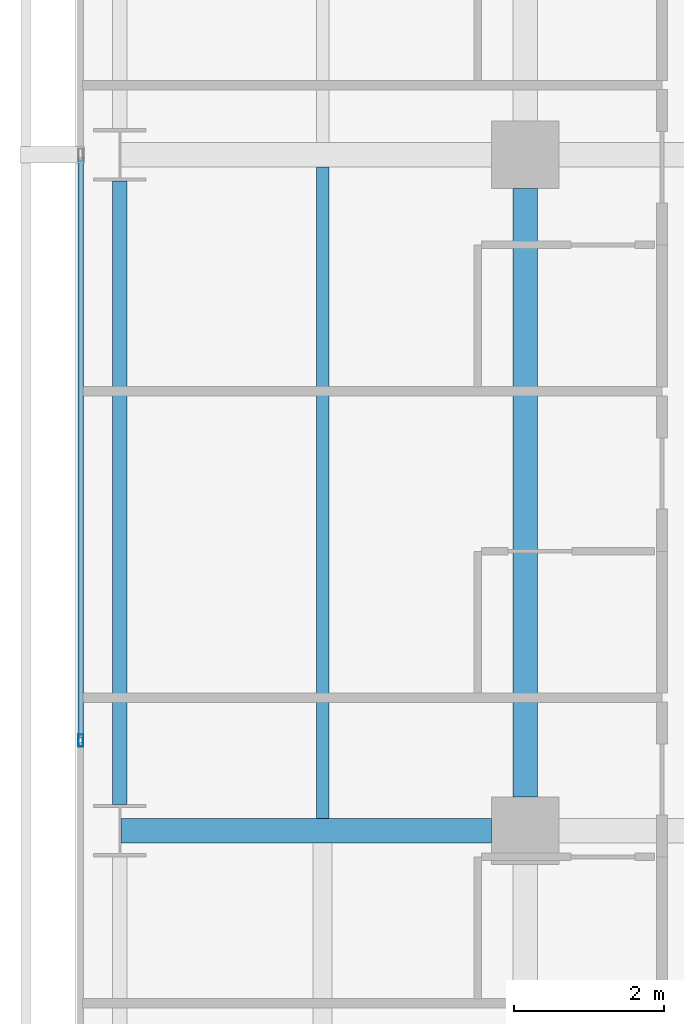
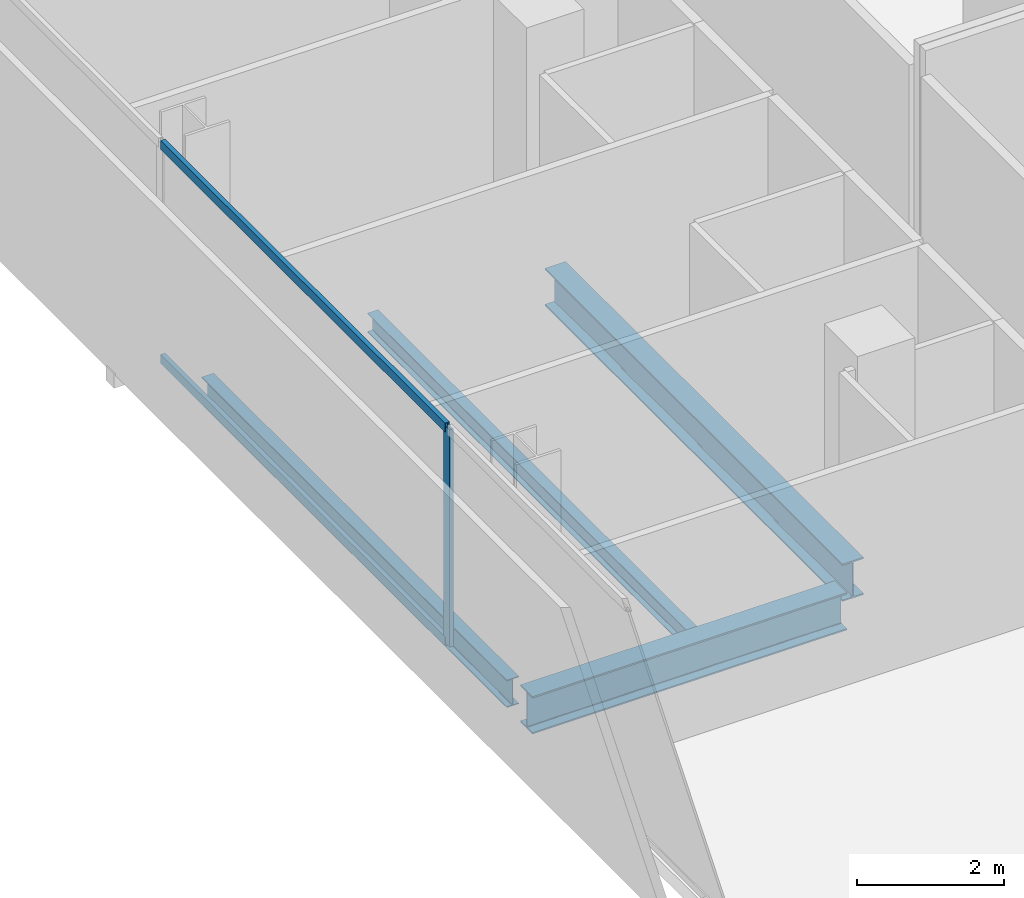
# One storey, part 10 of 40: 4 beams, 3 members, 1 element without a shape of its own.
"""IFC4 building model written with IfcOpenShell, lengths in metres."""

from ifc_helpers import new_model, si_unit, direction, frame, origin, origin_2d, place, context, subcontext, project, spatial, hollow_rectangle, i_section, extrude, material, layer, layer_set, material_profile, profile_set, type_object, element, aggregate, save


model = new_model("IFC4")

# Units and contexts
model_context = context("Model", 3, precision=1e-05, world=origin(), true_north=direction((0.0, 1.0)))
body_context = subcontext(model_context, "Body", "Model", "MODEL_VIEW")
ifc_project = project(units=[si_unit("LENGTHUNIT", "METRE"), si_unit("AREAUNIT", "SQUARE_METRE"), si_unit("VOLUMEUNIT", "CUBIC_METRE"), si_unit("PLANEANGLEUNIT", "RADIAN"), si_unit("MASSUNIT", "GRAM", prefix="KILO")], contexts=[model_context])

# Site, building, storey
site_placement = place(None, origin())
site = spatial("IfcSite", under=ifc_project, at=site_placement, CompositionType="ELEMENT")
building_placement = place(site_placement, origin())
building = spatial("IfcBuilding", under=site, at=building_placement, Name="Maruvema Waterfront Hotel and Observation Tower", CompositionType="ELEMENT")
storey_placement = place(building_placement, frame((0.0, 0.0, 53.89990234375)))
storey = spatial("IfcBuildingStorey", under=building, at=storey_placement, Name="L12", CompositionType="ELEMENT", Elevation=53.89990234375)

# Curtain wall, members
ifc_material_1 = material(Name="Anodised bronze aluminium and solar-control low-E IGU", Category="aluminium")
ifc_layer = layer(ifc_material_1, 0.159912109375, Name="Zone 1 Bronze Inner Thermal Curtain Wall System CW-02")
ifc_layer_set = layer_set([ifc_layer], Name="Anodised bronze aluminium and solar-control low-E IGU")
curtain_wall_type = type_object("IfcCurtainWallType", Name="Zone 1 Bronze Inner Thermal Curtain Wall System CW-02", PredefinedType="USERDEFINED", material=ifc_layer_set)
curtain_wall_placement = place(storey_placement, origin())
curtain_wall = element("IfcCurtainWall", 1, at=curtain_wall_placement, inside=storey, type_object=curtain_wall_type, Name="L12 Curtain Wall CW-L12-W", ObjectType="UNITISED CURTAIN WALL", PredefinedType="USERDEFINED")
ifc_material_2 = material(Name="Anodised architectural bronze aluminium", Category="aluminium")
ifc_material_profile_1 = material_profile(ifc_material_2, hollow_rectangle(XDim=0.070068359375, YDim=0.14990234375, WallThickness=0.00390625, at=origin_2d()), Name="ALU-T70x150")
ifc_profile_set_1 = profile_set([ifc_material_profile_1], Name="Anodised architectural bronze aluminium")
member_type_1 = type_object("IfcMemberType", Name="Curtain Wall Horizontal Transom ALU-T70x150", PredefinedType="USERDEFINED", material=ifc_profile_set_1)
member_1_placement = place(storey_placement, frame((10.8798828125, 26.969970703125, 0.030029296875), z_axis=(0.0, -1.0, 0.0), x_axis=(1.0, 0.0, 0.0)))
member_1 = element("IfcMember", 2, at=member_1_placement, type_object=member_type_1, Name="CW-02 transom 4.1", ObjectType="TRANSOM", PredefinedType="USERDEFINED", context=body_context, shape_type="SweptSolid", body=[
    extrude(hollow_rectangle(XDim=0.070068359375, YDim=0.14990234375, WallThickness=0.00390625, at=origin_2d()), origin(), (0.0, 0.0, 1.0), 7.739990234375),
])
member_2_placement = place(storey_placement, frame((10.8798828125, 26.969970703125, 3.580078125), z_axis=(0.0, -1.0, 0.0), x_axis=(1.0, 0.0, 0.0)))
member_2 = element("IfcMember", 3, at=member_2_placement, type_object=member_type_1, Name="CW-02 transom 4.2", ObjectType="TRANSOM", PredefinedType="USERDEFINED", context=body_context, shape_type="SweptSolid", body=[
    extrude(hollow_rectangle(XDim=0.070068359375, YDim=0.14990234375, WallThickness=0.00390625, at=origin_2d()), origin(), (0.0, 0.0, 1.0), 7.739990234375),
])
ifc_material_3 = material(Name="Anodised architectural bronze aluminium", Category="aluminium")
ifc_material_profile_2 = material_profile(ifc_material_3, hollow_rectangle(XDim=0.06494140625, YDim=0.1650390625, WallThickness=0.00390625, at=origin_2d()), Name="ALU-M65x165")
ifc_profile_set_2 = profile_set([ifc_material_profile_2], Name="Anodised architectural bronze aluminium")
member_type_2 = type_object("IfcMemberType", Name="Curtain Wall Primary Mullion ALU-M65x165", PredefinedType="MULLION", material=ifc_profile_set_2)
member_3_placement = place(storey_placement, frame((10.8798828125, 19.199951171875, 0.0), z_axis=(0.0, 0.0, 1.0), x_axis=(1.0, 0.0, 0.0)))
member_3 = element("IfcMember", 4, at=member_3_placement, type_object=member_type_2, Name="CW-02 mullion 5", PredefinedType="MULLION", context=body_context, shape_type="SweptSolid", body=[
    extrude(hollow_rectangle(XDim=0.06494140625, YDim=0.1650390625, WallThickness=0.00390625, at=origin_2d()), origin(), (0.0, 0.0, 1.0), 3.610107421875),
])
aggregate(curtain_wall, [member_3, member_1, member_2])

# Beams
ifc_material_4 = material(Name="Steel ASTM A572 Grade 50", Category="steel")
ifc_material_profile_3 = material_profile(ifc_material_4, i_section(OverallWidth=0.18994140625, OverallDepth=0.45703125, WebThickness=0.009033203125, FlangeThickness=0.014404296875, FilletRadius=0.014892578125, at=origin_2d()), Name="W460x74.0")
ifc_profile_set_3 = profile_set([ifc_material_profile_3], Name="Steel ASTM A572 Grade 50")
beam_type_1 = type_object("IfcBeamType", Name="Perimeter Spandrel Beam W460x74.0", PredefinedType="SPANDREL", material=ifc_profile_set_3)
beam_1_placement = place(storey_placement, frame((11.39990234375, 18.35009765625, -0.468505859375), z_axis=(0.0, 1.0, 0.0), x_axis=(-1.0, 0.0, 0.0)))
element("IfcBeam", 5, at=beam_1_placement, inside=storey, type_object=beam_type_1, Name="L12 Floor Girder NS-02", PredefinedType="SPANDREL", context=body_context, shape_type="SweptSolid", body=[
    extrude(i_section(OverallWidth=0.18994140625, OverallDepth=0.45703125, WebThickness=0.009033203125, FlangeThickness=0.014404296875, FilletRadius=0.014892578125, at=origin_2d()), origin(), (0.0, 0.0, 1.0), 8.2998046875),
])
ifc_material_5 = material(Name="Steel ASTM A572 Grade 50", Category="steel")
ifc_material_profile_4 = material_profile(ifc_material_5, i_section(OverallWidth=0.326904296875, OverallDepth=0.6220703125, WebThickness=0.015380859375, FlangeThickness=0.0244140625, FilletRadius=0.01806640625, at=origin_2d()), Name="W610x195.0")
ifc_profile_set_4 = profile_set([ifc_material_profile_4], Name="Steel ASTM A572 Grade 50")
beam_type_2 = type_object("IfcBeamType", Name="Primary Floor Girder W610x195.0", PredefinedType="BEAM", material=ifc_profile_set_4)
beam_2_placement = place(storey_placement, frame((11.4140625, 18.0, -0.55078125), z_axis=(1.0, 0.0, 0.0), x_axis=(0.0, 1.0, 0.0)))
element("IfcBeam", 6, at=beam_2_placement, inside=storey, type_object=beam_type_2, Name="L12 Floor Girder EW-13", PredefinedType="BEAM", context=body_context, shape_type="SweptSolid", body=[
    extrude(i_section(OverallWidth=0.326904296875, OverallDepth=0.6220703125, WebThickness=0.015380859375, FlangeThickness=0.0244140625, FilletRadius=0.01806640625, at=origin_2d()), origin(), (0.0, 0.0, 1.0), 4.93603515625),
])
beam_3_placement = place(storey_placement, frame((16.800048828125, 18.449951171875, -0.55078125), z_axis=(0.0, 1.0, 0.0), x_axis=(-1.0, 0.0, 0.0)))
element("IfcBeam", 7, at=beam_3_placement, inside=storey, type_object=beam_type_2, Name="L12 Floor Girder NS-07", PredefinedType="BEAM", context=body_context, shape_type="SweptSolid", body=[
    extrude(i_section(OverallWidth=0.326904296875, OverallDepth=0.6220703125, WebThickness=0.015380859375, FlangeThickness=0.0244140625, FilletRadius=0.01806640625, at=origin_2d()), origin(), (0.0, 0.0, 1.0), 8.10009765625),
])
ifc_material_6 = material(Name="Steel ASTM A572 Grade 50", Category="steel")
ifc_material_profile_5 = material_profile(ifc_material_6, i_section(OverallWidth=0.1669921875, OverallDepth=0.31689453125, WebThickness=0.007568359375, FlangeThickness=0.01318359375, FilletRadius=0.012939453125, at=origin_2d()), Name="W310x52.0")
ifc_profile_set_5 = profile_set([ifc_material_profile_5], Name="Steel ASTM A572 Grade 50")
beam_type_3 = type_object("IfcBeamType", Name="Secondary Floor Joist W310x52.0", PredefinedType="JOIST", material=ifc_profile_set_5)
beam_4_placement = place(storey_placement, frame((14.10009765625, 18.16357421875, -0.3984375), z_axis=(0.0, 1.0, 0.0), x_axis=(-1.0, 0.0, 0.0)))
element("IfcBeam", 8, at=beam_4_placement, inside=storey, type_object=beam_type_3, Name="L12 Secondary Floor Joist JS-02", PredefinedType="JOIST", context=body_context, shape_type="SweptSolid", body=[
    extrude(i_section(OverallWidth=0.1669921875, OverallDepth=0.31689453125, WebThickness=0.007568359375, FlangeThickness=0.01318359375, FilletRadius=0.012939453125, at=origin_2d()), origin(), (0.0, 0.0, 1.0), 8.6728515625),
])

save(model, "model.ifc")
